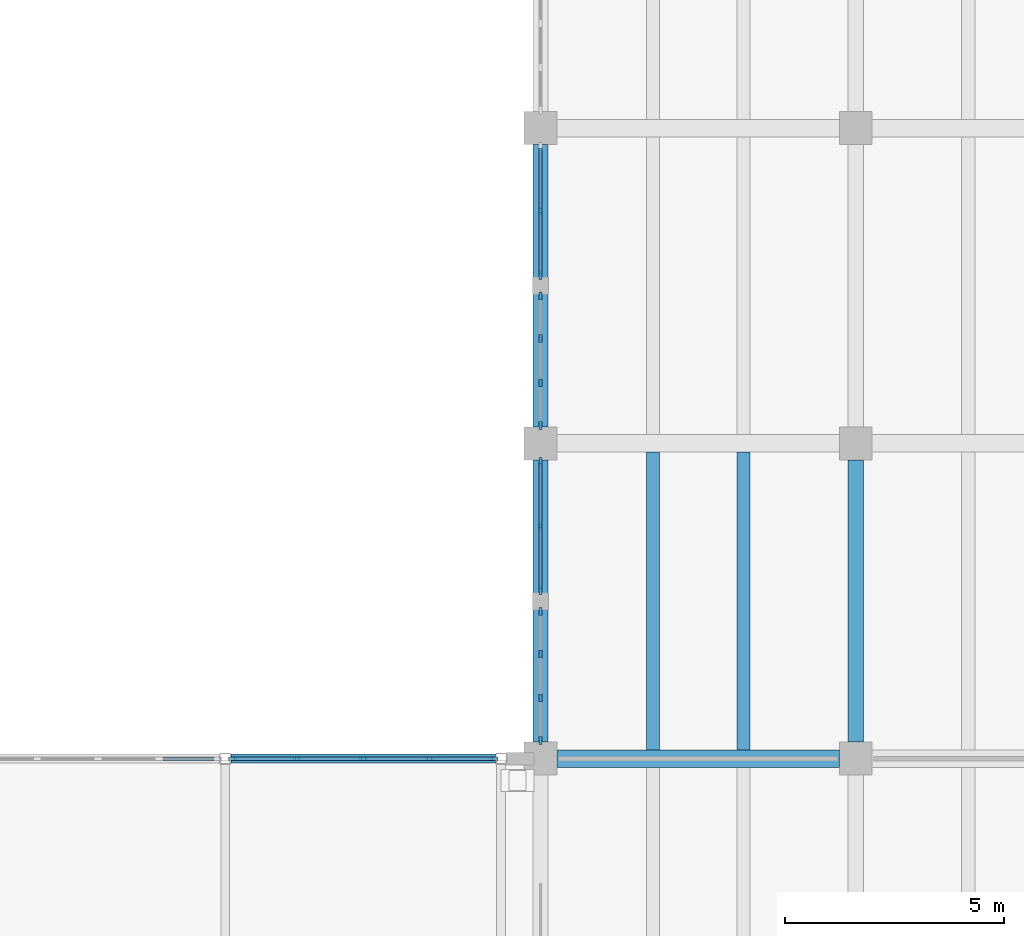
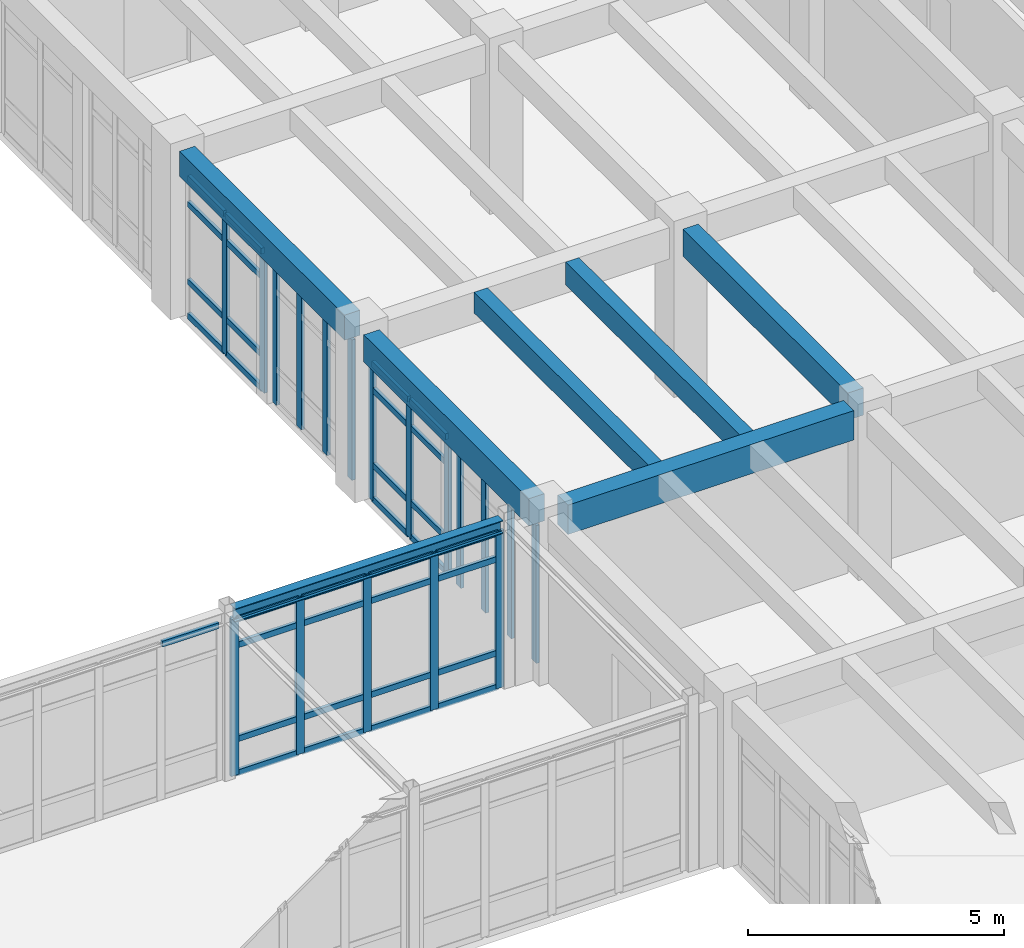
# One storey, part 61 of 136: 51 members, 7 beams, 6 elements without a shape of their own.
"""IFC4 building model written with IfcOpenShell, lengths in metres."""

from ifc_helpers import new_model, si_unit, direction, frame, origin, origin_2d, place, context, subcontext, project, spatial, rectangle, i_section, extrude, material, layer, layer_set, material_profile, profile_set, type_object, element, aggregate, save


model = new_model("IFC4")

# Units and contexts
model_context = context("Model", 3, precision=1e-05, world=origin(), true_north=direction((0.0, 1.0)))
body_context = subcontext(model_context, "Body", "Model", "MODEL_VIEW")
ifc_project = project(units=[si_unit("LENGTHUNIT", "METRE"), si_unit("AREAUNIT", "SQUARE_METRE"), si_unit("VOLUMEUNIT", "CUBIC_METRE"), si_unit("PLANEANGLEUNIT", "RADIAN"), si_unit("MASSUNIT", "GRAM", prefix="KILO")], contexts=[model_context])

# Site, building, storey
site_placement = place(None, origin())
site = spatial("IfcSite", under=ifc_project, at=site_placement, CompositionType="ELEMENT")
building_placement = place(site_placement, origin())
building = spatial("IfcBuilding", under=site, at=building_placement, Name="Koriwan Promenade Central Fire Station", CompositionType="ELEMENT")
storey_placement = place(building_placement, frame((0.0, 0.0, 5.39990234375)))
storey = spatial("IfcBuildingStorey", under=building, at=storey_placement, Name="L01", CompositionType="ELEMENT", Elevation=5.39990234375)

# Beams
ifc_material_1 = material(Name="Concrete C35/45", Category="concrete")
ifc_material_profile_1 = material_profile(ifc_material_1, rectangle(XDim=0.300048828125, YDim=0.5, at=origin_2d()), Name="RC-BM-300x500")
ifc_profile_set_1 = profile_set([ifc_material_profile_1], Name="Concrete C35/45")
beam_type_1 = type_object("IfcBeamType", Name="Beam_RC-BM-300x500", PredefinedType="JOIST", material=ifc_profile_set_1)
beam_1_placement = place(storey_placement, frame((153.76806640625, 50.60009765625, 3.7001953125), z_axis=(0.0, 1.0, 0.0), x_axis=(-1.0, 0.0, 0.0)))
element("IfcBeam", 1, at=beam_1_placement, inside=storey, type_object=beam_type_1, Name="V5 L01 secondary joist 737", PredefinedType="JOIST", context=body_context, shape_type="SweptSolid", body=[
    extrude(rectangle(XDim=0.300048828125, YDim=0.5, at=origin_2d()), origin(), (0.0, 0.0, 1.0), 6.7998046875),
])
ifc_material_profile_2 = material_profile(ifc_material_1, rectangle(XDim=0.300048828125, YDim=0.550048828125, at=origin_2d()), Name="RC-BM-300x550")
ifc_profile_set_2 = profile_set([ifc_material_profile_2], Name="Concrete C35/45")
beam_type_2 = type_object("IfcBeamType", Name="Beam_RC-BM-300x550", PredefinedType="JOIST", material=ifc_profile_set_2)
beam_2_placement = place(storey_placement, frame((155.83203125, 50.60009765625, 3.675048828125), z_axis=(0.0, 1.0, 0.0), x_axis=(-1.0, 0.0, 0.0)))
element("IfcBeam", 2, at=beam_2_placement, inside=storey, type_object=beam_type_2, Name="V5 L01 secondary joist 738", PredefinedType="JOIST", context=body_context, shape_type="SweptSolid", body=[
    extrude(rectangle(XDim=0.300048828125, YDim=0.550048828125, at=origin_2d()), origin(), (0.0, 0.0, 1.0), 6.7998046875),
])
ifc_material_profile_3 = material_profile(ifc_material_1, rectangle(XDim=0.35009765625, YDim=0.60009765625, at=origin_2d()), Name="RC-BM-350x600")
ifc_profile_set_3 = profile_set([ifc_material_profile_3], Name="Concrete C35/45")
beam_type_3 = type_object("IfcBeamType", Name="Beam_RC-BM-350x600", PredefinedType="BEAM", material=ifc_profile_set_3)
beam_3_placement = place(storey_placement, frame((151.199951171875, 57.97509765625, 3.66015625), z_axis=(0.0, 1.0, 0.0), x_axis=(-1.0, 0.0, 0.0)))
element("IfcBeam", 3, at=beam_3_placement, inside=storey, type_object=beam_type_3, Name="V5 L01 girder Y-668", PredefinedType="BEAM", context=body_context, shape_type="SweptSolid", body=[
    extrude(rectangle(XDim=0.35009765625, YDim=0.60009765625, at=origin_2d()), origin(), (0.0, 0.0, 1.0), 6.449951171875),
])
ifc_material_profile_4 = material_profile(ifc_material_1, rectangle(XDim=0.35009765625, YDim=0.64990234375, at=origin_2d()), Name="RC-BM-350x650")
ifc_profile_set_4 = profile_set([ifc_material_profile_4], Name="Concrete C35/45")
beam_type_4 = type_object("IfcBeamType", Name="Beam_RC-BM-350x650", PredefinedType="BEAM", material=ifc_profile_set_4)
for number, where, z_axis, x_axis, name in (
    (4, (151.199951171875, 50.77490234375, 3.625), (0.0, 1.0, 0.0), (-1.0, 0.0, 0.0), "V5 L01 girder Y-667"),
    (5, (158.39990234375, 50.77490234375, 3.625), (0.0, 1.0, 0.0), (-1.0, 0.0, 0.0), "V5 L01 girder Y-677"),
):
    element("IfcBeam", number, at=place(storey_placement, frame(where, z_axis=z_axis, x_axis=x_axis)), inside=storey, type_object=beam_type_4, Name=name, PredefinedType="BEAM", context=body_context, shape_type="SweptSolid", body=[
        extrude(rectangle(XDim=0.35009765625, YDim=0.64990234375, at=origin_2d()), origin(), (0.0, 0.0, 1.0), 6.4501953125),
    ])
ifc_material_profile_5 = material_profile(ifc_material_1, rectangle(XDim=0.39990234375, YDim=0.699951171875, at=origin_2d()), Name="RC-BM-400x700")
ifc_profile_set_5 = profile_set([ifc_material_profile_5], Name="Concrete C35/45")
beam_type_5 = type_object("IfcBeamType", Name="Beam_RC-BM-400x700", PredefinedType="BEAM", material=ifc_profile_set_5)
beam_4_placement = place(storey_placement, frame((151.574951171875, 50.39990234375, 3.60009765625), z_axis=(1.0, 0.0, 0.0), x_axis=(0.0, 1.0, 0.0)))
element("IfcBeam", 6, at=beam_4_placement, inside=storey, type_object=beam_type_5, Name="V5 L01 girder X-646", PredefinedType="BEAM", context=body_context, shape_type="SweptSolid", body=[
    extrude(rectangle(XDim=0.39990234375, YDim=0.699951171875, at=origin_2d()), origin(), (0.0, 0.0, 1.0), 6.449951171875),
])

# Curtain wall, members
ifc_material_2 = material(Name="Aluminium EN AW-6063-T6 and low-E glazing", Category="aluminium")
ifc_layer_1 = layer(ifc_material_2, 0.159912109375, Name="Aluminium EN AW-6063-T6 and low-E glazing")
ifc_layer_set_1 = layer_set([ifc_layer_1], Name="Aluminium EN AW-6063-T6 and low-E glazing")
curtain_wall_type_1 = type_object("IfcCurtainWallType", Name="CurtainWall_62_302x329", PredefinedType="USERDEFINED", material=ifc_layer_set_1)
curtain_wall_1_placement = place(storey_placement, origin())
curtain_wall_1 = element("IfcCurtainWall", 7, at=curtain_wall_1_placement, inside=storey, type_object=curtain_wall_type_1, Name="V5 L01 unitised curtain wall 183", ObjectType="UNITISED CURTAIN WALL", PredefinedType="USERDEFINED")
ifc_material_3 = material(Name="Aluminium EN AW-6063-T6", Category="aluminium")
ifc_material_profile_6 = material_profile(ifc_material_3, rectangle(XDim=0.074951171875, YDim=0.179931640625, at=origin_2d()), Name="ALU-MUL-75x180")
ifc_profile_set_6 = profile_set([ifc_material_profile_6], Name="Aluminium EN AW-6063-T6")
member_type_1 = type_object("IfcMemberType", Name="CWMullion_ALU-MUL-75x180", PredefinedType="MULLION", material=ifc_profile_set_6)
member_1_placement = place(storey_placement, frame((151.199951171875, 50.8125, 0.0), z_axis=(0.0, 0.0, 1.0), x_axis=(-1.0, 0.0, 0.0)))
member_1 = element("IfcMember", 8, at=member_1_placement, type_object=member_type_1, Name="CW-62 mullion 1", PredefinedType="MULLION", context=body_context, shape_type="SweptSolid", body=[
    extrude(rectangle(XDim=0.074951171875, YDim=0.179931640625, at=origin_2d()), origin(), (0.0, 0.0, 1.0), 3.2900390625),
])
member_2_placement = place(storey_placement, frame((151.199951171875, 51.783447265625, 0.0), z_axis=(0.0, 0.0, 1.0), x_axis=(-1.0, 0.0, 0.0)))
member_2 = element("IfcMember", 9, at=member_2_placement, type_object=member_type_1, Name="CW-62 mullion 2", PredefinedType="MULLION", context=body_context, shape_type="SweptSolid", body=[
    extrude(rectangle(XDim=0.074951171875, YDim=0.179931640625, at=origin_2d()), origin(), (0.0, 0.0, 1.0), 3.2900390625),
])
member_3_placement = place(storey_placement, frame((151.199951171875, 52.791748046875, 0.0), z_axis=(0.0, 0.0, 1.0), x_axis=(-1.0, 0.0, 0.0)))
member_3 = element("IfcMember", 10, at=member_3_placement, type_object=member_type_1, Name="CW-62 mullion 3", PredefinedType="MULLION", context=body_context, shape_type="SweptSolid", body=[
    extrude(rectangle(XDim=0.074951171875, YDim=0.179931640625, at=origin_2d()), origin(), (0.0, 0.0, 1.0), 3.2900390625),
])
member_4_placement = place(storey_placement, frame((151.199951171875, 53.762451171875, 0.0), z_axis=(0.0, 0.0, 1.0), x_axis=(-1.0, 0.0, 0.0)))
member_4 = element("IfcMember", 11, at=member_4_placement, type_object=member_type_1, Name="CW-62 mullion 4", PredefinedType="MULLION", context=body_context, shape_type="SweptSolid", body=[
    extrude(rectangle(XDim=0.074951171875, YDim=0.179931640625, at=origin_2d()), origin(), (0.0, 0.0, 1.0), 3.2900390625),
])
aggregate(curtain_wall_1, [member_1, member_2, member_3, member_4])

ifc_layer_2 = layer(ifc_material_2, 0.159912109375, Name="Aluminium EN AW-6063-T6 and low-E glazing")
ifc_layer_set_2 = layer_set([ifc_layer_2], Name="Aluminium EN AW-6063-T6 and low-E glazing")
curtain_wall_type_2 = type_object("IfcCurtainWallType", Name="CurtainWall_07_302x329", PredefinedType="USERDEFINED", material=ifc_layer_set_2)
curtain_wall_2_placement = place(storey_placement, origin())
curtain_wall_2 = element("IfcCurtainWall", 12, at=curtain_wall_2_placement, inside=storey, type_object=curtain_wall_type_2, Name="V5 L01 unitised curtain wall 184", ObjectType="UNITISED CURTAIN WALL", PredefinedType="USERDEFINED")
member_5_placement = place(storey_placement, frame((151.199951171875, 54.237548828125, 0.0), z_axis=(0.0, 0.0, 1.0), x_axis=(-1.0, 0.0, 0.0)))
member_5 = element("IfcMember", 13, at=member_5_placement, type_object=member_type_1, Name="CW-07 mullion 1", PredefinedType="MULLION", context=body_context, shape_type="SweptSolid", body=[
    extrude(rectangle(XDim=0.074951171875, YDim=0.179931640625, at=origin_2d()), origin(), (0.0, 0.0, 1.0), 3.2900390625),
])
member_6_placement = place(storey_placement, frame((151.199951171875, 55.71240234375, 0.0), z_axis=(0.0, 0.0, 1.0), x_axis=(-1.0, 0.0, 0.0)))
member_6 = element("IfcMember", 14, at=member_6_placement, type_object=member_type_1, Name="CW-07 mullion 2", PredefinedType="MULLION", context=body_context, shape_type="SweptSolid", body=[
    extrude(rectangle(XDim=0.074951171875, YDim=0.179931640625, at=origin_2d()), origin(), (0.0, 0.0, 1.0), 3.2900390625),
])
member_7_placement = place(storey_placement, frame((151.199951171875, 57.1875, 0.0), z_axis=(0.0, 0.0, 1.0), x_axis=(-1.0, 0.0, 0.0)))
member_7 = element("IfcMember", 15, at=member_7_placement, type_object=member_type_1, Name="CW-07 mullion 3", PredefinedType="MULLION", context=body_context, shape_type="SweptSolid", body=[
    extrude(rectangle(XDim=0.074951171875, YDim=0.179931640625, at=origin_2d()), origin(), (0.0, 0.0, 1.0), 3.2900390625),
])

ifc_layer_3 = layer(ifc_material_2, 0.159912109375, Name="Aluminium EN AW-6063-T6 and low-E glazing")
ifc_layer_set_3 = layer_set([ifc_layer_3], Name="Aluminium EN AW-6063-T6 and low-E glazing")
curtain_wall_type_3 = type_object("IfcCurtainWallType", Name="CurtainWall_69_302x335", PredefinedType="USERDEFINED", material=ifc_layer_set_3)
curtain_wall_3_placement = place(storey_placement, origin())
curtain_wall_3 = element("IfcCurtainWall", 16, at=curtain_wall_3_placement, inside=storey, type_object=curtain_wall_type_3, Name="V5 L01 unitised curtain wall 185", ObjectType="UNITISED CURTAIN WALL", PredefinedType="USERDEFINED")
member_8_placement = place(storey_placement, frame((151.199951171875, 58.012451171875, 0.0), z_axis=(0.0, 0.0, 1.0), x_axis=(-1.0, 0.0, 0.0)))
member_8 = element("IfcMember", 17, at=member_8_placement, type_object=member_type_1, Name="CW-69 mullion 1", PredefinedType="MULLION", context=body_context, shape_type="SweptSolid", body=[
    extrude(rectangle(XDim=0.074951171875, YDim=0.179931640625, at=origin_2d()), origin(), (0.0, 0.0, 1.0), 3.35009765625),
])
member_9_placement = place(storey_placement, frame((151.199951171875, 58.9833984375, 0.0), z_axis=(0.0, 0.0, 1.0), x_axis=(-1.0, 0.0, 0.0)))
member_9 = element("IfcMember", 18, at=member_9_placement, type_object=member_type_1, Name="CW-69 mullion 2", PredefinedType="MULLION", context=body_context, shape_type="SweptSolid", body=[
    extrude(rectangle(XDim=0.074951171875, YDim=0.179931640625, at=origin_2d()), origin(), (0.0, 0.0, 1.0), 3.35009765625),
])
member_10_placement = place(storey_placement, frame((151.199951171875, 59.99169921875, 0.0), z_axis=(0.0, 0.0, 1.0), x_axis=(-1.0, 0.0, 0.0)))
member_10 = element("IfcMember", 19, at=member_10_placement, type_object=member_type_1, Name="CW-69 mullion 3", PredefinedType="MULLION", context=body_context, shape_type="SweptSolid", body=[
    extrude(rectangle(XDim=0.074951171875, YDim=0.179931640625, at=origin_2d()), origin(), (0.0, 0.0, 1.0), 3.35009765625),
])
member_11_placement = place(storey_placement, frame((151.199951171875, 60.96240234375, 0.0), z_axis=(0.0, 0.0, 1.0), x_axis=(-1.0, 0.0, 0.0)))
member_11 = element("IfcMember", 20, at=member_11_placement, type_object=member_type_1, Name="CW-69 mullion 4", PredefinedType="MULLION", context=body_context, shape_type="SweptSolid", body=[
    extrude(rectangle(XDim=0.074951171875, YDim=0.179931640625, at=origin_2d()), origin(), (0.0, 0.0, 1.0), 3.35009765625),
])
aggregate(curtain_wall_3, [member_8, member_9, member_10, member_11])

ifc_layer_4 = layer(ifc_material_2, 0.159912109375, Name="Aluminium EN AW-6063-T6 and low-E glazing")
ifc_layer_set_4 = layer_set([ifc_layer_4], Name="Aluminium EN AW-6063-T6 and low-E glazing")
curtain_wall_type_4 = type_object("IfcCurtainWallType", Name="CurtainWall_70_302x335", PredefinedType="USERDEFINED", material=ifc_layer_set_4)
curtain_wall_4_placement = place(storey_placement, origin())
curtain_wall_4 = element("IfcCurtainWall", 21, at=curtain_wall_4_placement, inside=storey, type_object=curtain_wall_type_4, Name="V5 L01 unitised curtain wall 186", ObjectType="UNITISED CURTAIN WALL", PredefinedType="USERDEFINED")
member_12_placement = place(storey_placement, frame((151.199951171875, 61.4375, 0.0), z_axis=(0.0, 0.0, 1.0), x_axis=(-1.0, 0.0, 0.0)))
member_12 = element("IfcMember", 22, at=member_12_placement, type_object=member_type_1, Name="CW-70 mullion 1", PredefinedType="MULLION", context=body_context, shape_type="SweptSolid", body=[
    extrude(rectangle(XDim=0.074951171875, YDim=0.179931640625, at=origin_2d()), origin(), (0.0, 0.0, 1.0), 3.35009765625),
])
member_13_placement = place(storey_placement, frame((151.199951171875, 62.91259765625, 0.0), z_axis=(0.0, 0.0, 1.0), x_axis=(-1.0, 0.0, 0.0)))
member_13 = element("IfcMember", 23, at=member_13_placement, type_object=member_type_1, Name="CW-70 mullion 2", PredefinedType="MULLION", context=body_context, shape_type="SweptSolid", body=[
    extrude(rectangle(XDim=0.074951171875, YDim=0.179931640625, at=origin_2d()), origin(), (0.0, 0.0, 1.0), 3.35009765625),
])

ifc_layer_5 = layer(ifc_material_2, 0.159912109375, Name="Aluminium EN AW-6063-T6 and low-E glazing")
ifc_layer_set_5 = layer_set([ifc_layer_5], Name="Aluminium EN AW-6063-T6 and low-E glazing")
curtain_wall_type_5 = type_object("IfcCurtainWallType", Name="CurtainWall_97_605x374", PredefinedType="USERDEFINED", material=ifc_layer_set_5)
curtain_wall_5_placement = place(storey_placement, origin())
curtain_wall_5 = element("IfcCurtainWall", 24, at=curtain_wall_5_placement, inside=storey, type_object=curtain_wall_type_5, Name="V5 L01 unitised curtain wall 317", ObjectType="UNITISED CURTAIN WALL", PredefinedType="USERDEFINED")
member_14_placement = place(storey_placement, frame((144.16259765625, 50.39990234375, 0.0), z_axis=(0.0, 0.0, 1.0), x_axis=(0.0, 1.0, 0.0)))
member_14 = element("IfcMember", 25, at=member_14_placement, type_object=member_type_1, Name="CW-97 mullion 1", PredefinedType="MULLION", context=body_context, shape_type="SweptSolid", body=[
    extrude(rectangle(XDim=0.074951171875, YDim=0.179931640625, at=origin_2d()), origin(), (0.0, 0.0, 1.0), 3.739990234375),
])
member_15_placement = place(storey_placement, frame((145.637451171875, 50.39990234375, 0.0), z_axis=(0.0, 0.0, 1.0), x_axis=(0.0, 1.0, 0.0)))
member_15 = element("IfcMember", 26, at=member_15_placement, type_object=member_type_1, Name="CW-97 mullion 2", PredefinedType="MULLION", context=body_context, shape_type="SweptSolid", body=[
    extrude(rectangle(XDim=0.074951171875, YDim=0.179931640625, at=origin_2d()), origin(), (0.0, 0.0, 1.0), 3.739990234375),
])
member_16_placement = place(storey_placement, frame((147.14990234375, 50.39990234375, 0.0), z_axis=(0.0, 0.0, 1.0), x_axis=(0.0, 1.0, 0.0)))
member_16 = element("IfcMember", 27, at=member_16_placement, type_object=member_type_1, Name="CW-97 mullion 3", PredefinedType="MULLION", context=body_context, shape_type="SweptSolid", body=[
    extrude(rectangle(XDim=0.074951171875, YDim=0.179931640625, at=origin_2d()), origin(), (0.0, 0.0, 1.0), 3.739990234375),
])
member_17_placement = place(storey_placement, frame((148.66259765625, 50.39990234375, 0.0), z_axis=(0.0, 0.0, 1.0), x_axis=(0.0, 1.0, 0.0)))
member_17 = element("IfcMember", 28, at=member_17_placement, type_object=member_type_1, Name="CW-97 mullion 4", PredefinedType="MULLION", context=body_context, shape_type="SweptSolid", body=[
    extrude(rectangle(XDim=0.074951171875, YDim=0.179931640625, at=origin_2d()), origin(), (0.0, 0.0, 1.0), 3.739990234375),
])
member_18_placement = place(storey_placement, frame((150.137451171875, 50.39990234375, 0.0), z_axis=(0.0, 0.0, 1.0), x_axis=(0.0, 1.0, 0.0)))
member_18 = element("IfcMember", 29, at=member_18_placement, type_object=member_type_1, Name="CW-97 mullion 5", PredefinedType="MULLION", context=body_context, shape_type="SweptSolid", body=[
    extrude(rectangle(XDim=0.074951171875, YDim=0.179931640625, at=origin_2d()), origin(), (0.0, 0.0, 1.0), 3.739990234375),
])

# Member
ifc_material_profile_7 = material_profile(ifc_material_3, rectangle(XDim=0.074951171875, YDim=0.139892578125, at=origin_2d()), Name="ALU-TRN-75x140")
ifc_profile_set_7 = profile_set([ifc_material_profile_7], Name="Aluminium EN AW-6063-T6")
member_type_2 = type_object("IfcMemberType", Name="CWTransom_ALU-TRN-75x140", PredefinedType="USERDEFINED", material=ifc_profile_set_7)
member_19_placement = place(storey_placement, frame((151.199951171875, 54.27490234375, 0.03759765625), z_axis=(0.0, 1.0, 0.0), x_axis=(-1.0, 0.0, 0.0)))
member_19 = element("IfcMember", 30, at=member_19_placement, type_object=member_type_2, Name="CW-07 transom 1.1", ObjectType="TRANSOM", PredefinedType="USERDEFINED", context=body_context, shape_type="SweptSolid", body=[
    extrude(rectangle(XDim=0.074951171875, YDim=0.139892578125, at=origin_2d()), origin(), (0.0, 0.0, 1.0), 1.400146484375),
])

member_20_placement = place(storey_placement, frame((151.199951171875, 54.27490234375, 0.85009765625), z_axis=(0.0, 1.0, 0.0), x_axis=(-1.0, 0.0, 0.0)))
member_20 = element("IfcMember", 31, at=member_20_placement, type_object=member_type_2, Name="CW-07 transom 1.2", ObjectType="TRANSOM", PredefinedType="USERDEFINED", context=body_context, shape_type="SweptSolid", body=[
    extrude(rectangle(XDim=0.074951171875, YDim=0.139892578125, at=origin_2d()), origin(), (0.0, 0.0, 1.0), 1.400146484375),
])

member_21_placement = place(storey_placement, frame((151.199951171875, 54.27490234375, 2.64013671875), z_axis=(0.0, 1.0, 0.0), x_axis=(-1.0, 0.0, 0.0)))
member_21 = element("IfcMember", 32, at=member_21_placement, type_object=member_type_2, Name="CW-07 transom 1.3", ObjectType="TRANSOM", PredefinedType="USERDEFINED", context=body_context, shape_type="SweptSolid", body=[
    extrude(rectangle(XDim=0.074951171875, YDim=0.139892578125, at=origin_2d()), origin(), (0.0, 0.0, 1.0), 1.400146484375),
])

member_22_placement = place(storey_placement, frame((151.199951171875, 54.27490234375, 3.252685546875), z_axis=(0.0, 1.0, 0.0), x_axis=(-1.0, 0.0, 0.0)))
member_22 = element("IfcMember", 33, at=member_22_placement, type_object=member_type_2, Name="CW-07 transom 1.4", ObjectType="TRANSOM", PredefinedType="USERDEFINED", context=body_context, shape_type="SweptSolid", body=[
    extrude(rectangle(XDim=0.074951171875, YDim=0.139892578125, at=origin_2d()), origin(), (0.0, 0.0, 1.0), 1.400146484375),
])

member_23_placement = place(storey_placement, frame((151.199951171875, 55.75, 0.03759765625), z_axis=(0.0, 1.0, 0.0), x_axis=(-1.0, 0.0, 0.0)))
member_23 = element("IfcMember", 34, at=member_23_placement, type_object=member_type_2, Name="CW-07 transom 2.1", ObjectType="TRANSOM", PredefinedType="USERDEFINED", context=body_context, shape_type="SweptSolid", body=[
    extrude(rectangle(XDim=0.074951171875, YDim=0.139892578125, at=origin_2d()), origin(), (0.0, 0.0, 1.0), 1.39990234375),
])

member_24_placement = place(storey_placement, frame((151.199951171875, 55.75, 0.85009765625), z_axis=(0.0, 1.0, 0.0), x_axis=(-1.0, 0.0, 0.0)))
member_24 = element("IfcMember", 35, at=member_24_placement, type_object=member_type_2, Name="CW-07 transom 2.2", ObjectType="TRANSOM", PredefinedType="USERDEFINED", context=body_context, shape_type="SweptSolid", body=[
    extrude(rectangle(XDim=0.074951171875, YDim=0.139892578125, at=origin_2d()), origin(), (0.0, 0.0, 1.0), 1.39990234375),
])

member_25_placement = place(storey_placement, frame((151.199951171875, 55.75, 2.64013671875), z_axis=(0.0, 1.0, 0.0), x_axis=(-1.0, 0.0, 0.0)))
member_25 = element("IfcMember", 36, at=member_25_placement, type_object=member_type_2, Name="CW-07 transom 2.3", ObjectType="TRANSOM", PredefinedType="USERDEFINED", context=body_context, shape_type="SweptSolid", body=[
    extrude(rectangle(XDim=0.074951171875, YDim=0.139892578125, at=origin_2d()), origin(), (0.0, 0.0, 1.0), 1.39990234375),
])

member_26_placement = place(storey_placement, frame((151.199951171875, 55.75, 3.252685546875), z_axis=(0.0, 1.0, 0.0), x_axis=(-1.0, 0.0, 0.0)))
member_26 = element("IfcMember", 37, at=member_26_placement, type_object=member_type_2, Name="CW-07 transom 2.4", ObjectType="TRANSOM", PredefinedType="USERDEFINED", context=body_context, shape_type="SweptSolid", body=[
    extrude(rectangle(XDim=0.074951171875, YDim=0.139892578125, at=origin_2d()), origin(), (0.0, 0.0, 1.0), 1.39990234375),
])

aggregate(curtain_wall_2, [member_5, member_6, member_7, member_19, member_20, member_21, member_22, member_23, member_24, member_25, member_26])

member_27_placement = place(storey_placement, frame((151.199951171875, 61.47509765625, 0.03759765625), z_axis=(0.0, 1.0, 0.0), x_axis=(-1.0, 0.0, 0.0)))
member_27 = element("IfcMember", 38, at=member_27_placement, type_object=member_type_2, Name="CW-70 transom 1.1", ObjectType="TRANSOM", PredefinedType="USERDEFINED", context=body_context, shape_type="SweptSolid", body=[
    extrude(rectangle(XDim=0.074951171875, YDim=0.139892578125, at=origin_2d()), origin(), (0.0, 0.0, 1.0), 1.39990234375),
])

member_28_placement = place(storey_placement, frame((151.199951171875, 61.47509765625, 0.85009765625), z_axis=(0.0, 1.0, 0.0), x_axis=(-1.0, 0.0, 0.0)))
member_28 = element("IfcMember", 39, at=member_28_placement, type_object=member_type_2, Name="CW-70 transom 1.2", ObjectType="TRANSOM", PredefinedType="USERDEFINED", context=body_context, shape_type="SweptSolid", body=[
    extrude(rectangle(XDim=0.074951171875, YDim=0.139892578125, at=origin_2d()), origin(), (0.0, 0.0, 1.0), 1.39990234375),
])

member_29_placement = place(storey_placement, frame((151.199951171875, 61.47509765625, 2.7001953125), z_axis=(0.0, 1.0, 0.0), x_axis=(-1.0, 0.0, 0.0)))
member_29 = element("IfcMember", 40, at=member_29_placement, type_object=member_type_2, Name="CW-70 transom 1.3", ObjectType="TRANSOM", PredefinedType="USERDEFINED", context=body_context, shape_type="SweptSolid", body=[
    extrude(rectangle(XDim=0.074951171875, YDim=0.139892578125, at=origin_2d()), origin(), (0.0, 0.0, 1.0), 1.39990234375),
])

member_30_placement = place(storey_placement, frame((151.199951171875, 61.47509765625, 3.3125), z_axis=(0.0, 1.0, 0.0), x_axis=(-1.0, 0.0, 0.0)))
member_30 = element("IfcMember", 41, at=member_30_placement, type_object=member_type_2, Name="CW-70 transom 1.4", ObjectType="TRANSOM", PredefinedType="USERDEFINED", context=body_context, shape_type="SweptSolid", body=[
    extrude(rectangle(XDim=0.074951171875, YDim=0.139892578125, at=origin_2d()), origin(), (0.0, 0.0, 1.0), 1.39990234375),
])

member_31_placement = place(storey_placement, frame((151.199951171875, 62.949951171875, 0.03759765625), z_axis=(0.0, 1.0, 0.0), x_axis=(-1.0, 0.0, 0.0)))
member_31 = element("IfcMember", 42, at=member_31_placement, type_object=member_type_2, Name="CW-70 transom 2.1", ObjectType="TRANSOM", PredefinedType="USERDEFINED", context=body_context, shape_type="SweptSolid", body=[
    extrude(rectangle(XDim=0.074951171875, YDim=0.139892578125, at=origin_2d()), origin(), (0.0, 0.0, 1.0), 1.400146484375),
])

member_32_placement = place(storey_placement, frame((151.199951171875, 62.949951171875, 0.85009765625), z_axis=(0.0, 1.0, 0.0), x_axis=(-1.0, 0.0, 0.0)))
member_32 = element("IfcMember", 43, at=member_32_placement, type_object=member_type_2, Name="CW-70 transom 2.2", ObjectType="TRANSOM", PredefinedType="USERDEFINED", context=body_context, shape_type="SweptSolid", body=[
    extrude(rectangle(XDim=0.074951171875, YDim=0.139892578125, at=origin_2d()), origin(), (0.0, 0.0, 1.0), 1.400146484375),
])

member_33_placement = place(storey_placement, frame((151.199951171875, 62.949951171875, 2.7001953125), z_axis=(0.0, 1.0, 0.0), x_axis=(-1.0, 0.0, 0.0)))
member_33 = element("IfcMember", 44, at=member_33_placement, type_object=member_type_2, Name="CW-70 transom 2.3", ObjectType="TRANSOM", PredefinedType="USERDEFINED", context=body_context, shape_type="SweptSolid", body=[
    extrude(rectangle(XDim=0.074951171875, YDim=0.139892578125, at=origin_2d()), origin(), (0.0, 0.0, 1.0), 1.400146484375),
])

member_34_placement = place(storey_placement, frame((151.199951171875, 62.949951171875, 3.3125), z_axis=(0.0, 1.0, 0.0), x_axis=(-1.0, 0.0, 0.0)))
member_34 = element("IfcMember", 45, at=member_34_placement, type_object=member_type_2, Name="CW-70 transom 2.4", ObjectType="TRANSOM", PredefinedType="USERDEFINED", context=body_context, shape_type="SweptSolid", body=[
    extrude(rectangle(XDim=0.074951171875, YDim=0.139892578125, at=origin_2d()), origin(), (0.0, 0.0, 1.0), 1.400146484375),
])

aggregate(curtain_wall_4, [member_12, member_13, member_27, member_28, member_29, member_30, member_31, member_32, member_33, member_34])

# Curtain wall, member
ifc_layer_6 = layer(ifc_material_2, 0.159912109375, Name="Aluminium EN AW-6063-T6 and low-E glazing")
ifc_layer_set_6 = layer_set([ifc_layer_6], Name="Aluminium EN AW-6063-T6 and low-E glazing")
curtain_wall_type_6 = type_object("IfcCurtainWallType", Name="CurtainWall_98_695x374", PredefinedType="USERDEFINED", material=ifc_layer_set_6)
curtain_wall_6_placement = place(storey_placement, origin())
curtain_wall_6 = element("IfcCurtainWall", 46, at=curtain_wall_6_placement, inside=storey, type_object=curtain_wall_type_6, Name="V5 L01 unitised curtain wall 315", ObjectType="UNITISED CURTAIN WALL", PredefinedType="USERDEFINED")
member_35_placement = place(storey_placement, frame((142.5224609375, 50.39990234375, 3.70263671875), z_axis=(1.0, 0.0, 0.0), x_axis=(0.0, 1.0, 0.0)))
member_35 = element("IfcMember", 47, at=member_35_placement, type_object=member_type_2, Name="CW-98 transom 5.4", ObjectType="TRANSOM", PredefinedType="USERDEFINED", context=body_context, shape_type="SweptSolid", body=[
    extrude(rectangle(XDim=0.074951171875, YDim=0.139892578125, at=origin_2d()), origin(), (0.0, 0.0, 1.0), 1.277587890625),
])
aggregate(curtain_wall_6, [member_35])

# Member
member_36_placement = place(storey_placement, frame((144.199951171875, 50.39990234375, 0.03759765625), z_axis=(1.0, 0.0, 0.0), x_axis=(0.0, 1.0, 0.0)))
member_36 = element("IfcMember", 48, at=member_36_placement, type_object=member_type_2, Name="CW-97 transom 1.1", ObjectType="TRANSOM", PredefinedType="USERDEFINED", context=body_context, shape_type="SweptSolid", body=[
    extrude(rectangle(XDim=0.074951171875, YDim=0.139892578125, at=origin_2d()), origin(), (0.0, 0.0, 1.0), 1.400146484375),
])

member_37_placement = place(storey_placement, frame((144.199951171875, 50.39990234375, 0.85009765625), z_axis=(1.0, 0.0, 0.0), x_axis=(0.0, 1.0, 0.0)))
member_37 = element("IfcMember", 49, at=member_37_placement, type_object=member_type_2, Name="CW-97 transom 1.2", ObjectType="TRANSOM", PredefinedType="USERDEFINED", context=body_context, shape_type="SweptSolid", body=[
    extrude(rectangle(XDim=0.074951171875, YDim=0.139892578125, at=origin_2d()), origin(), (0.0, 0.0, 1.0), 1.400146484375),
])

member_38_placement = place(storey_placement, frame((144.199951171875, 50.39990234375, 3.090087890625), z_axis=(1.0, 0.0, 0.0), x_axis=(0.0, 1.0, 0.0)))
member_38 = element("IfcMember", 50, at=member_38_placement, type_object=member_type_2, Name="CW-97 transom 1.3", ObjectType="TRANSOM", PredefinedType="USERDEFINED", context=body_context, shape_type="SweptSolid", body=[
    extrude(rectangle(XDim=0.074951171875, YDim=0.139892578125, at=origin_2d()), origin(), (0.0, 0.0, 1.0), 1.400146484375),
])

member_39_placement = place(storey_placement, frame((144.199951171875, 50.39990234375, 3.70263671875), z_axis=(1.0, 0.0, 0.0), x_axis=(0.0, 1.0, 0.0)))
member_39 = element("IfcMember", 51, at=member_39_placement, type_object=member_type_2, Name="CW-97 transom 1.4", ObjectType="TRANSOM", PredefinedType="USERDEFINED", context=body_context, shape_type="SweptSolid", body=[
    extrude(rectangle(XDim=0.074951171875, YDim=0.139892578125, at=origin_2d()), origin(), (0.0, 0.0, 1.0), 1.400146484375),
])

member_40_placement = place(storey_placement, frame((145.675048828125, 50.39990234375, 0.03759765625), z_axis=(1.0, 0.0, 0.0), x_axis=(0.0, 1.0, 0.0)))
member_40 = element("IfcMember", 52, at=member_40_placement, type_object=member_type_2, Name="CW-97 transom 2.1", ObjectType="TRANSOM", PredefinedType="USERDEFINED", context=body_context, shape_type="SweptSolid", body=[
    extrude(rectangle(XDim=0.074951171875, YDim=0.139892578125, at=origin_2d()), origin(), (0.0, 0.0, 1.0), 1.4375),
])

member_41_placement = place(storey_placement, frame((145.675048828125, 50.39990234375, 0.85009765625), z_axis=(1.0, 0.0, 0.0), x_axis=(0.0, 1.0, 0.0)))
member_41 = element("IfcMember", 53, at=member_41_placement, type_object=member_type_2, Name="CW-97 transom 2.2", ObjectType="TRANSOM", PredefinedType="USERDEFINED", context=body_context, shape_type="SweptSolid", body=[
    extrude(rectangle(XDim=0.074951171875, YDim=0.139892578125, at=origin_2d()), origin(), (0.0, 0.0, 1.0), 1.4375),
])

member_42_placement = place(storey_placement, frame((145.675048828125, 50.39990234375, 3.090087890625), z_axis=(1.0, 0.0, 0.0), x_axis=(0.0, 1.0, 0.0)))
member_42 = element("IfcMember", 54, at=member_42_placement, type_object=member_type_2, Name="CW-97 transom 2.3", ObjectType="TRANSOM", PredefinedType="USERDEFINED", context=body_context, shape_type="SweptSolid", body=[
    extrude(rectangle(XDim=0.074951171875, YDim=0.139892578125, at=origin_2d()), origin(), (0.0, 0.0, 1.0), 1.4375),
])

member_43_placement = place(storey_placement, frame((145.675048828125, 50.39990234375, 3.70263671875), z_axis=(1.0, 0.0, 0.0), x_axis=(0.0, 1.0, 0.0)))
member_43 = element("IfcMember", 55, at=member_43_placement, type_object=member_type_2, Name="CW-97 transom 2.4", ObjectType="TRANSOM", PredefinedType="USERDEFINED", context=body_context, shape_type="SweptSolid", body=[
    extrude(rectangle(XDim=0.074951171875, YDim=0.139892578125, at=origin_2d()), origin(), (0.0, 0.0, 1.0), 1.4375),
])

member_44_placement = place(storey_placement, frame((147.1875, 50.39990234375, 0.03759765625), z_axis=(1.0, 0.0, 0.0), x_axis=(0.0, 1.0, 0.0)))
member_44 = element("IfcMember", 56, at=member_44_placement, type_object=member_type_2, Name="CW-97 transom 3.1", ObjectType="TRANSOM", PredefinedType="USERDEFINED", context=body_context, shape_type="SweptSolid", body=[
    extrude(rectangle(XDim=0.074951171875, YDim=0.139892578125, at=origin_2d()), origin(), (0.0, 0.0, 1.0), 1.4375),
])

member_45_placement = place(storey_placement, frame((147.1875, 50.39990234375, 0.85009765625), z_axis=(1.0, 0.0, 0.0), x_axis=(0.0, 1.0, 0.0)))
member_45 = element("IfcMember", 57, at=member_45_placement, type_object=member_type_2, Name="CW-97 transom 3.2", ObjectType="TRANSOM", PredefinedType="USERDEFINED", context=body_context, shape_type="SweptSolid", body=[
    extrude(rectangle(XDim=0.074951171875, YDim=0.139892578125, at=origin_2d()), origin(), (0.0, 0.0, 1.0), 1.4375),
])

member_46_placement = place(storey_placement, frame((147.1875, 50.39990234375, 3.090087890625), z_axis=(1.0, 0.0, 0.0), x_axis=(0.0, 1.0, 0.0)))
member_46 = element("IfcMember", 58, at=member_46_placement, type_object=member_type_2, Name="CW-97 transom 3.3", ObjectType="TRANSOM", PredefinedType="USERDEFINED", context=body_context, shape_type="SweptSolid", body=[
    extrude(rectangle(XDim=0.074951171875, YDim=0.139892578125, at=origin_2d()), origin(), (0.0, 0.0, 1.0), 1.4375),
])

member_47_placement = place(storey_placement, frame((147.1875, 50.39990234375, 3.70263671875), z_axis=(1.0, 0.0, 0.0), x_axis=(0.0, 1.0, 0.0)))
member_47 = element("IfcMember", 59, at=member_47_placement, type_object=member_type_2, Name="CW-97 transom 3.4", ObjectType="TRANSOM", PredefinedType="USERDEFINED", context=body_context, shape_type="SweptSolid", body=[
    extrude(rectangle(XDim=0.074951171875, YDim=0.139892578125, at=origin_2d()), origin(), (0.0, 0.0, 1.0), 1.4375),
])

member_48_placement = place(storey_placement, frame((148.699951171875, 50.39990234375, 0.03759765625), z_axis=(1.0, 0.0, 0.0), x_axis=(0.0, 1.0, 0.0)))
member_48 = element("IfcMember", 60, at=member_48_placement, type_object=member_type_2, Name="CW-97 transom 4.1", ObjectType="TRANSOM", PredefinedType="USERDEFINED", context=body_context, shape_type="SweptSolid", body=[
    extrude(rectangle(XDim=0.074951171875, YDim=0.139892578125, at=origin_2d()), origin(), (0.0, 0.0, 1.0), 1.400146484375),
])

member_49_placement = place(storey_placement, frame((148.699951171875, 50.39990234375, 0.85009765625), z_axis=(1.0, 0.0, 0.0), x_axis=(0.0, 1.0, 0.0)))
member_49 = element("IfcMember", 61, at=member_49_placement, type_object=member_type_2, Name="CW-97 transom 4.2", ObjectType="TRANSOM", PredefinedType="USERDEFINED", context=body_context, shape_type="SweptSolid", body=[
    extrude(rectangle(XDim=0.074951171875, YDim=0.139892578125, at=origin_2d()), origin(), (0.0, 0.0, 1.0), 1.400146484375),
])

member_50_placement = place(storey_placement, frame((148.699951171875, 50.39990234375, 3.090087890625), z_axis=(1.0, 0.0, 0.0), x_axis=(0.0, 1.0, 0.0)))
member_50 = element("IfcMember", 62, at=member_50_placement, type_object=member_type_2, Name="CW-97 transom 4.3", ObjectType="TRANSOM", PredefinedType="USERDEFINED", context=body_context, shape_type="SweptSolid", body=[
    extrude(rectangle(XDim=0.074951171875, YDim=0.139892578125, at=origin_2d()), origin(), (0.0, 0.0, 1.0), 1.400146484375),
])

member_51_placement = place(storey_placement, frame((148.699951171875, 50.39990234375, 3.70263671875), z_axis=(1.0, 0.0, 0.0), x_axis=(0.0, 1.0, 0.0)))
member_51 = element("IfcMember", 63, at=member_51_placement, type_object=member_type_2, Name="CW-97 transom 4.4", ObjectType="TRANSOM", PredefinedType="USERDEFINED", context=body_context, shape_type="SweptSolid", body=[
    extrude(rectangle(XDim=0.074951171875, YDim=0.139892578125, at=origin_2d()), origin(), (0.0, 0.0, 1.0), 1.400146484375),
])

aggregate(curtain_wall_5, [member_14, member_15, member_16, member_17, member_18, member_36, member_37, member_38, member_39, member_40, member_41, member_42, member_43, member_44, member_45, member_46, member_47, member_48, member_49, member_50, member_51])

# Beam
ifc_material_4 = material(Name="Steel ASTM A992 Grade 50", Category="steel")
ifc_material_profile_8 = material_profile(ifc_material_4, i_section(OverallWidth=0.205078125, OverallDepth=0.31005859375, WebThickness=0.009521484375, FlangeThickness=0.016357421875, FilletRadius=0.014892578125, at=origin_2d()), Name="W310x74")
ifc_profile_set_8 = profile_set([ifc_material_profile_8], Name="Steel ASTM A992 Grade 50")
beam_type_6 = type_object("IfcBeamType", Name="SteelBeam_W310x74", PredefinedType="BEAM", material=ifc_profile_set_8)
beam_5_placement = place(storey_placement, frame((144.1298828125, 50.39990234375, 3.864990234375), z_axis=(1.0, 0.0, 0.0), x_axis=(0.0, 1.0, 0.0)))
element("IfcBeam", 64, at=beam_5_placement, inside=storey, type_object=beam_type_6, Name="Bridge roof girder 1134", PredefinedType="BEAM", context=body_context, shape_type="SweptSolid", body=[
    extrude(i_section(OverallWidth=0.205078125, OverallDepth=0.31005859375, WebThickness=0.009521484375, FlangeThickness=0.016357421875, FilletRadius=0.014892578125, at=origin_2d()), origin(), (0.0, 0.0, 1.0), 6.0400390625),
])

save(model, "model.ifc")
